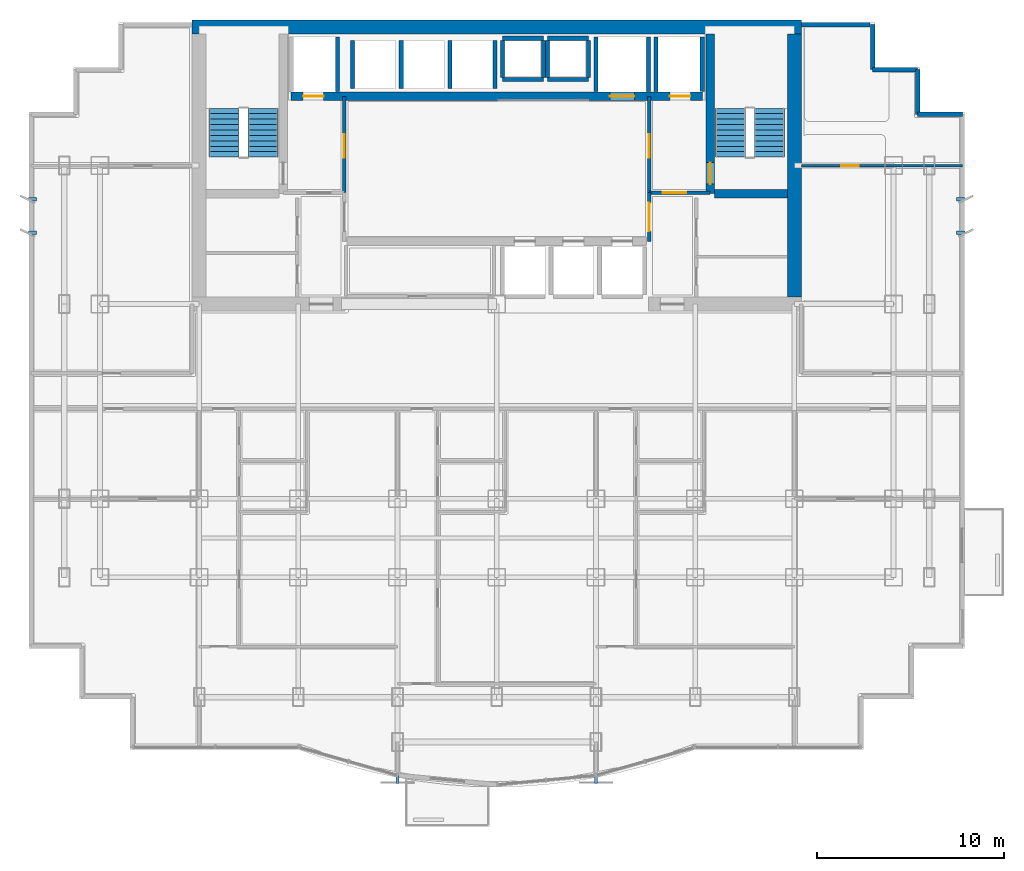
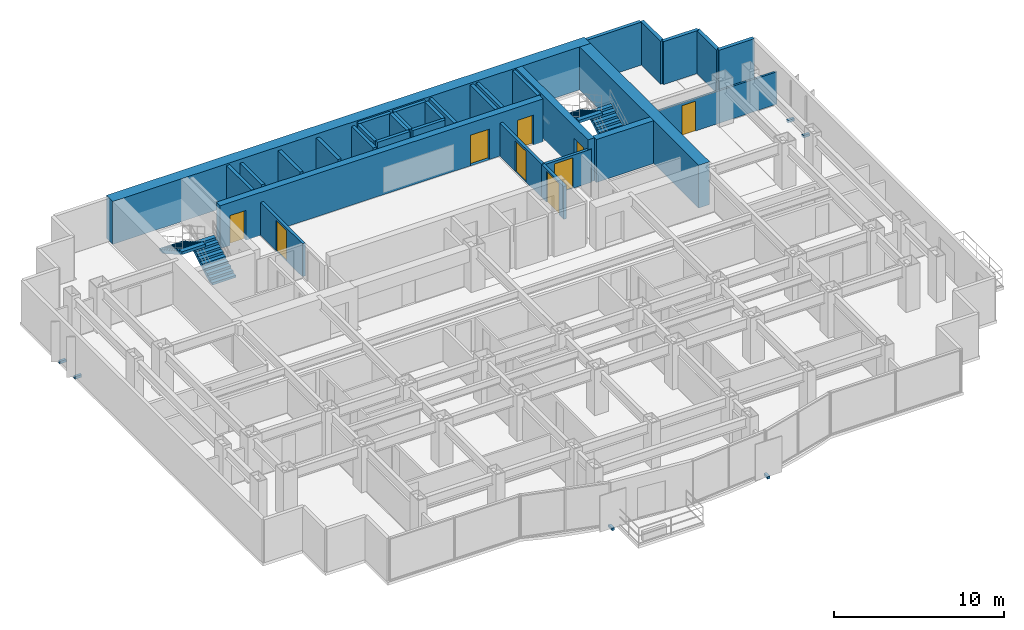
# One storey, part 7 of 9: 32 walls, 9 doors, 6 discrete accessories, 4 stair flights, 9 openings, 2 elements without a shape of their own.
"""IFC4 building model written with IfcOpenShell, lengths in metres."""

from ifc_helpers import new_model, si_unit, direction, frame, frame_2d, origin, origin_2d, place, context, subcontext, project, spatial, polyline, rectangle, outline, extrude, source, transform, mapped, material, layer, layer_set, type_object, element, fill, aggregate, save


model = new_model("IFC4")

# Units and contexts
model_context = context("Model", 3, precision=1e-05, world=origin(), true_north=direction((0.0, 1.0)))
body_context = subcontext(model_context, "Body", "Model", "MODEL_VIEW")
ifc_project = project(units=[si_unit("LENGTHUNIT", "METRE"), si_unit("AREAUNIT", "SQUARE_METRE"), si_unit("VOLUMEUNIT", "CUBIC_METRE"), si_unit("PLANEANGLEUNIT", "RADIAN"), si_unit("MASSUNIT", "GRAM", prefix="KILO")], contexts=[model_context])

# Site, building, storey
site_placement = place(None, origin())
site = spatial("IfcSite", under=ifc_project, at=site_placement, CompositionType="ELEMENT")
building_placement = place(site_placement, origin())
building = spatial("IfcBuilding", under=site, at=building_placement, Name="Qianlan Lanfeng Residences", CompositionType="ELEMENT")
storey_placement = place(building_placement, frame((0.0, 0.0, 108.10009765625)))
storey = spatial("IfcBuildingStorey", under=building, at=storey_placement, Name="L29", CompositionType="ELEMENT", Elevation=108.10009765625)

# Wall, opening, door
ifc_material_1 = material(Name="Concrete C60", Category="concrete")
ifc_layer_1 = layer(ifc_material_1, 0.449951171875)
ifc_layer_set_1 = layer_set([ifc_layer_1], Name="Concrete C60")
wall_type_1 = type_object("IfcWallType", Name="CW-RC-450", PredefinedType="SHEAR", material=ifc_layer_set_1)
wall_1_placement = place(storey_placement, frame((37.89990234375, 31.10009765625, 0.0), z_axis=(0.0, 0.0, 1.0), x_axis=(0.0, 1.0, 0.0)))
wall_1 = element("IfcWall", 1, at=wall_1_placement, inside=storey, type_object=wall_type_1, Name="L29 Core Shear Wall ST2W", PredefinedType="SHEAR", context=body_context, shape_type="SweptSolid", body=[
    extrude(rectangle(XDim=8.52490234375, YDim=0.449951171875, at=frame_2d((4.262451171875, 0.0))), origin(), (0.0, 0.0, 1.0), 3.08984375),
])
opening_1_placement = place(wall_1_placement, frame((0.510009765625, 0.0, 0.0)))
opening_1 = element("IfcOpeningElement", 2, at=opening_1_placement, cuts=wall_1, Name="Opening L29-D08", PredefinedType="OPENING", context=body_context, shape_type="SweptSolid", body=[
    extrude(rectangle(XDim=1.14990234375, YDim=2.199951171875, at=frame_2d((0.574951171875, 1.10009765625))), frame((0.0, 0.23486328125, 0.0), z_axis=(0.0, -1.0, 0.0), x_axis=(1.0, 0.0, 0.0)), (0.0, 0.0, 1.0), 0.469970703125),
])
ifc_material_2 = material(Name="Painted Galvanised Steel Fire Door", Category="steel")
door_type_1 = type_object("IfcDoorType", Name="DT-ST1", OperationType="NOTDEFINED", PredefinedType="DOOR", material=ifc_material_2)
door_1_placement = place(opening_1_placement, origin())
door_1 = element("IfcDoor", 3, at=door_1_placement, inside=storey, type_object=door_type_1, Name="L29 Exit Stair ST-2 Door L29-D08 (DT-ST1)", OperationType="SINGLE_SWING_RIGHT", OverallHeight=2.199951171875, OverallWidth=1.14990234375, PredefinedType="DOOR", context=body_context, shape_type="SweptSolid", body=[
    extrude(rectangle(XDim=1.14990234375, YDim=2.199951171875, at=frame_2d((0.574951171875, 1.10009765625))), frame((0.0, 0.02490234375, 0.0), z_axis=(0.0, -1.0, 0.0), x_axis=(1.0, 0.0, 0.0)), (0.0, 0.0, 1.0), 0.050048828125),
])
fill(opening_1, door_1)

# Wall
wall_2_placement = place(storey_placement, frame((38.125, 31.10009765625, 0.0), z_axis=(0.0, 0.0, 1.0), x_axis=(1.0, 0.0, 0.0)))
element("IfcWall", 4, at=wall_2_placement, inside=storey, type_object=wall_type_1, Name="L29 Core Shear Wall ST2S", PredefinedType="SHEAR", context=body_context, shape_type="SweptSolid", body=[
    extrude(rectangle(XDim=3.89990234375, YDim=0.449951171875, at=frame_2d((1.949951171875, 0.0))), origin(), (0.0, 0.0, 1.0), 3.08984375),
])

# Wall, openings, doors
wall_3_placement = place(storey_placement, frame((15.5, 36.300048828125, 0.0), z_axis=(0.0, 0.0, 1.0), x_axis=(1.0, 0.0, 0.0)))
wall_3 = element("IfcWall", 5, at=wall_3_placement, inside=storey, type_object=wall_type_1, Name="L29 Core Shear Wall LBN", PredefinedType="SHEAR", context=body_context, shape_type="SweptSolid", body=[
    extrude(rectangle(XDim=22.0, YDim=0.449951171875, at=frame_2d((11.0, 0.0))), origin(), (0.0, 0.0, 1.0), 3.08984375),
])
opening_2_placement = place(wall_3_placement, frame((0.64990234375, 0.0, 0.0)))
opening_2 = element("IfcOpeningElement", 6, at=opening_2_placement, cuts=wall_3, Name="Opening L29-LD-FFL-1", PredefinedType="OPENING", context=body_context, shape_type="SweptSolid", body=[
    extrude(rectangle(XDim=1.10009765625, YDim=2.14990234375, at=frame_2d((0.550048828125, 1.074951171875))), frame((0.0, 0.23486328125, 0.0), z_axis=(0.0, -1.0, 0.0), x_axis=(1.0, 0.0, 0.0)), (0.0, 0.0, 1.0), 0.469970703125),
])
opening_3_placement = place(wall_3_placement, frame((20.25, 0.0, 0.0)))
opening_3 = element("IfcOpeningElement", 7, at=opening_3_placement, cuts=wall_3, Name="Opening L29-LD-FFL-2", PredefinedType="OPENING", context=body_context, shape_type="SweptSolid", body=[
    extrude(rectangle(XDim=1.10009765625, YDim=2.14990234375, at=frame_2d((0.550048828125, 1.074951171875))), frame((0.0, 0.23486328125, 0.0), z_axis=(0.0, -1.0, 0.0), x_axis=(1.0, 0.0, 0.0)), (0.0, 0.0, 1.0), 0.469970703125),
])
opening_4_placement = place(wall_3_placement, frame((17.050048828125, 0.0, 0.0)))
opening_4 = element("IfcOpeningElement", 8, at=opening_4_placement, cuts=wall_3, Name="Opening L29-LD-SVL-1", PredefinedType="OPENING", context=body_context, shape_type="SweptSolid", body=[
    extrude(rectangle(XDim=1.300048828125, YDim=2.199951171875, at=frame_2d((0.64990234375, 1.10009765625))), frame((0.0, 0.23486328125, 0.0), z_axis=(0.0, -1.0, 0.0), x_axis=(1.0, 0.0, 0.0)), (0.0, 0.0, 1.0), 0.469970703125),
])
ifc_material_3 = material(Name="Brushed Stainless Steel Sliding Lift Door", Category="steel")
door_type_2 = type_object("IfcDoorType", Name="LD-01", OperationType="NOTDEFINED", PredefinedType="DOOR", material=ifc_material_3)
door_2_placement = place(opening_2_placement, frame((1.10009765625, 0.0, 0.0), z_axis=(0.0, 0.0, 1.0), x_axis=(-1.0, 0.0, 0.0)))
door_2 = element("IfcDoor", 9, at=door_2_placement, inside=storey, type_object=door_type_2, Name="L29 Elevator FFL-1 Sliding Landing Door", OperationType="DOUBLE_DOOR_SLIDING", OverallHeight=2.14990234375, OverallWidth=1.10009765625, PredefinedType="DOOR", context=body_context, shape_type="SweptSolid", body=[
    extrude(rectangle(XDim=1.10009765625, YDim=2.14990234375, at=frame_2d((0.550048828125, 1.074951171875))), frame((0.0, 0.02490234375, 0.0), z_axis=(0.0, -1.0, 0.0), x_axis=(1.0, 0.0, 0.0)), (0.0, 0.0, 1.0), 0.050048828125),
])
fill(opening_2, door_2)
door_3_placement = place(opening_3_placement, frame((1.10009765625, 0.0, 0.0), z_axis=(0.0, 0.0, 1.0), x_axis=(-1.0, 0.0, 0.0)))
door_3 = element("IfcDoor", 10, at=door_3_placement, inside=storey, type_object=door_type_2, Name="L29 Elevator FFL-2 Sliding Landing Door", OperationType="DOUBLE_DOOR_SLIDING", OverallHeight=2.14990234375, OverallWidth=1.10009765625, PredefinedType="DOOR", context=body_context, shape_type="SweptSolid", body=[
    extrude(rectangle(XDim=1.10009765625, YDim=2.14990234375, at=frame_2d((0.550048828125, 1.074951171875))), frame((0.0, 0.02490234375, 0.0), z_axis=(0.0, -1.0, 0.0), x_axis=(1.0, 0.0, 0.0)), (0.0, 0.0, 1.0), 0.050048828125),
])
fill(opening_3, door_3)
door_type_3 = type_object("IfcDoorType", Name="LD-02", OperationType="NOTDEFINED", PredefinedType="DOOR", material=ifc_material_3)
door_4_placement = place(opening_4_placement, frame((1.300048828125, 0.0, 0.0), z_axis=(0.0, 0.0, 1.0), x_axis=(-1.0, 0.0, 0.0)))
door_4 = element("IfcDoor", 11, at=door_4_placement, inside=storey, type_object=door_type_3, Name="L29 Elevator SVL-1 Sliding Landing Door", OperationType="DOUBLE_DOOR_SLIDING", OverallHeight=2.199951171875, OverallWidth=1.300048828125, PredefinedType="DOOR", context=body_context, shape_type="SweptSolid", body=[
    extrude(rectangle(XDim=1.300048828125, YDim=2.199951171875, at=frame_2d((0.64990234375, 1.10009765625))), frame((0.0, 0.02490234375, 0.0), z_axis=(0.0, -1.0, 0.0), x_axis=(1.0, 0.0, 0.0)), (0.0, 0.0, 1.0), 0.050048828125),
])
fill(opening_4, door_4)

# Walls
ifc_layer_2 = layer(ifc_material_1, 0.75)
ifc_layer_set_2 = layer_set([ifc_layer_2], Name="Concrete C60")
wall_type_2 = type_object("IfcWallType", Name="CW-RC-750", PredefinedType="SHEAR", material=ifc_layer_set_2)
wall_4_placement = place(storey_placement, frame((10.22509765625, 40.0, 0.0), z_axis=(0.0, 0.0, 1.0), x_axis=(1.0, 0.0, 0.0)))
element("IfcWall", 12, at=wall_4_placement, inside=storey, type_object=wall_type_2, Name="L29 Core Shear Wall N", PredefinedType="SHEAR", context=body_context, shape_type="SweptSolid", body=[
    extrude(rectangle(XDim=32.5498046875, YDim=0.75, at=frame_2d((16.27490234375, 0.0))), origin(), (0.0, 0.0, 1.0), 3.08984375),
])
wall_5_placement = place(storey_placement, frame((42.39990234375, 25.574951171875, 0.0), z_axis=(0.0, 0.0, 1.0), x_axis=(0.0, 1.0, 0.0)))
element("IfcWall", 13, at=wall_5_placement, inside=storey, type_object=wall_type_2, Name="L29 Core Shear Wall E", PredefinedType="SHEAR", context=body_context, shape_type="SweptSolid", body=[
    extrude(rectangle(XDim=14.050048828125, YDim=0.75, at=frame_2d((7.02490234375, 0.0))), origin(), (0.0, 0.0, 1.0), 3.08984375),
])
ifc_material_4 = material(Name="Concrete C42", Category="concrete")
ifc_layer_3 = layer(ifc_material_4, 0.239990234375)
ifc_layer_set_3 = layer_set([ifc_layer_3], Name="Concrete C42")
wall_type_3 = type_object("IfcWallType", Name="EW-240", PredefinedType="SOLIDWALL", material=ifc_layer_set_3)
for number, where, z_axis, x_axis, name in (
    (14, (51.3798828125, 35.330078125, 0.0), (0.0, 0.0, 1.0), (-1.0, 0.0, 0.0), "L29 Exterior Facade Spandrel Wall 11"),
    (15, (48.97998046875, 35.330078125, 0.0), (0.0, 0.0, 1.0), (0.0, 1.0, 0.0), "L29 Exterior Facade Spandrel Wall 12"),
    (16, (48.97998046875, 37.72998046875, 0.0), (0.0, 0.0, 1.0), (-1.0, 0.0, 0.0), "L29 Exterior Facade Spandrel Wall 13"),
    (17, (46.580078125, 37.72998046875, 0.0), (0.0, 0.0, 1.0), (0.0, 1.0, 0.0), "L29 Exterior Facade Spandrel Wall 14"),
):
    element("IfcWall", number, at=place(storey_placement, frame(where, z_axis=z_axis, x_axis=x_axis)), inside=storey, type_object=wall_type_3, Name=name, PredefinedType="SOLIDWALL", context=body_context, shape_type="SweptSolid", body=[
        extrude(rectangle(XDim=2.39990234375, YDim=0.239990234375, at=frame_2d((1.199951171875, 0.0))), origin(), (0.0, 0.0, 1.0), 3.08984375),
    ])
wall_6_placement = place(storey_placement, frame((46.449951171875, 40.1298828125, 0.0), z_axis=(0.0, 0.0, 1.0), x_axis=(-1.0, 0.0, 0.0)))
element("IfcWall", 18, at=wall_6_placement, inside=storey, type_object=wall_type_3, Name="L29 North Wing Exterior Wall E", PredefinedType="SOLIDWALL", context=body_context, shape_type="SweptSolid", body=[
    extrude(rectangle(XDim=3.675048828125, YDim=0.239990234375, at=frame_2d((1.83740234375, 0.0))), origin(), (0.0, 0.0, 1.0), 3.08984375),
])

# Wall, opening, door
ifc_material_5 = material(Name="Moisture-Resistant Gypsum Partition 135 mm")
ifc_layer_4 = layer(ifc_material_5, 0.135009765625)
ifc_layer_set_4 = layer_set([ifc_layer_4], Name="Moisture-Resistant Gypsum Partition 135 mm")
wall_type_4 = type_object("IfcWallType", Name="PW-135", PredefinedType="PARTITIONING", material=ifc_layer_set_4)
wall_7_placement = place(storey_placement, frame((42.77490234375, 32.60009765625, 0.0), z_axis=(0.0, 0.0, 1.0), x_axis=(1.0, 0.0, 0.0)))
wall_7 = element("IfcWall", 19, at=wall_7_placement, inside=storey, type_object=wall_type_4, Name="L29 EW North Wing Wall", PredefinedType="PARTITIONING", context=body_context, shape_type="SweptSolid", body=[
    extrude(rectangle(XDim=8.60498046875, YDim=0.135009765625, at=frame_2d((4.302490234375, 0.0))), origin(), (0.0, 0.0, 1.0), 2.3349609375),
])
opening_5_placement = place(wall_7_placement, frame((2.14306640625, 0.0, 0.0)))
opening_5 = element("IfcOpeningElement", 20, at=opening_5_placement, cuts=wall_7, Name="Opening L29-D37", PredefinedType="OPENING", context=body_context, shape_type="SweptSolid", body=[
    extrude(rectangle(XDim=0.919921875, YDim=2.14990234375, at=frame_2d((0.4599609375, 1.074951171875))), frame((0.0, 0.07763671875, 0.0), z_axis=(0.0, -1.0, 0.0), x_axis=(1.0, 0.0, 0.0)), (0.0, 0.0, 1.0), 0.155029296875),
])
ifc_material_6 = material(Name="Glazed Timber Kitchen/Study Door", Category="wood")
door_type_4 = type_object("IfcDoorType", Name="DT-INT", OperationType="NOTDEFINED", PredefinedType="DOOR", material=ifc_material_6)
door_5_placement = place(opening_5_placement, origin())
door_5 = element("IfcDoor", 21, at=door_5_placement, inside=storey, type_object=door_type_4, Name="L29 EW Inner Salon Door L29-D37 (DT-INT)", OperationType="SINGLE_SWING_RIGHT", OverallHeight=2.14990234375, OverallWidth=0.919921875, PredefinedType="DOOR", context=body_context, shape_type="SweptSolid", body=[
    extrude(rectangle(XDim=0.919921875, YDim=2.14990234375, at=frame_2d((0.4599609375, 1.074951171875))), frame((0.0, 0.02490234375, 0.0), z_axis=(0.0, -1.0, 0.0), x_axis=(1.0, 0.0, 0.0)), (0.0, 0.0, 1.0), 0.050048828125),
])
fill(opening_5, door_5)

ifc_material_7 = material(Name="Autoclaved Aerated Concrete Blockwork 200 mm", Category="masonry")
ifc_layer_5 = layer(ifc_material_7, 0.199951171875)
ifc_layer_set_5 = layer_set([ifc_layer_5], Name="Autoclaved Aerated Concrete Blockwork 200 mm")
wall_type_5 = type_object("IfcWallType", Name="PW-200", PredefinedType="PARTITIONING", material=ifc_layer_set_5)
wall_8_placement = place(storey_placement, frame((18.35009765625, 31.14990234375, 0.0), z_axis=(0.0, 0.0, 1.0), x_axis=(0.0, 1.0, 0.0)))
wall_8 = element("IfcWall", 22, at=wall_8_placement, inside=storey, type_object=wall_type_5, Name="L29 Firefighting Lobby 1 East Wall", PredefinedType="PARTITIONING", context=body_context, shape_type="SweptSolid", body=[
    extrude(rectangle(XDim=5.150146484375, YDim=0.199951171875, at=frame_2d((2.5751953125, 0.0))), origin(), (0.0, 0.0, 1.0), 2.3798828125),
])
opening_6_placement = place(wall_8_placement, frame((1.875, 0.0, 0.0)))
opening_6 = element("IfcOpeningElement", 23, at=opening_6_placement, cuts=wall_8, Name="Opening L29-D04", PredefinedType="OPENING", context=body_context, shape_type="SweptSolid", body=[
    extrude(rectangle(XDim=1.25, YDim=2.199951171875, at=frame_2d((0.625, 1.10009765625))), frame((0.0, 0.10986328125, 0.0), z_axis=(0.0, -1.0, 0.0), x_axis=(1.0, 0.0, 0.0)), (0.0, 0.0, 1.0), 0.219970703125),
])
door_type_5 = type_object("IfcDoorType", Name="DT-FFL", OperationType="NOTDEFINED", PredefinedType="DOOR", material=ifc_material_2)
door_6_placement = place(opening_6_placement, origin())
door_6 = element("IfcDoor", 24, at=door_6_placement, inside=storey, type_object=door_type_5, Name="L29 Firefighting Lobby 1 Lift Lobby Door L29-D04 (DT-FFL)", OperationType="SINGLE_SWING_LEFT", OverallHeight=2.199951171875, OverallWidth=1.25, PredefinedType="DOOR", context=body_context, shape_type="SweptSolid", body=[
    extrude(rectangle(XDim=1.25, YDim=2.199951171875, at=frame_2d((0.625, 1.10009765625))), frame((0.0, 0.02490234375, 0.0), z_axis=(0.0, -1.0, 0.0), x_axis=(1.0, 0.0, 0.0)), (0.0, 0.0, 1.0), 0.050048828125),
])
fill(opening_6, door_6)

wall_9_placement = place(storey_placement, frame((34.64990234375, 31.14990234375, 0.0), z_axis=(0.0, 0.0, 1.0), x_axis=(1.0, 0.0, 0.0)))
wall_9 = element("IfcWall", 25, at=wall_9_placement, inside=storey, type_object=wall_type_5, Name="L29 Firefighting Lobby 2 South Wall", PredefinedType="PARTITIONING", context=body_context, shape_type="SweptSolid", body=[
    extrude(rectangle(XDim=3.25, YDim=0.199951171875, at=frame_2d((1.625, 0.0))), origin(), (0.0, 0.0, 1.0), 2.3798828125),
])
opening_7_placement = place(wall_9_placement, frame((0.72509765625, 0.0, 0.0)))
opening_7 = element("IfcOpeningElement", 26, at=opening_7_placement, cuts=wall_9, Name="Opening L29-D05", PredefinedType="OPENING", context=body_context, shape_type="SweptSolid", body=[
    extrude(rectangle(XDim=1.25, YDim=2.199951171875, at=frame_2d((0.625, 1.10009765625))), frame((0.0, 0.10986328125, 0.0), z_axis=(0.0, -1.0, 0.0), x_axis=(1.0, 0.0, 0.0)), (0.0, 0.0, 1.0), 0.219970703125),
])
door_7_placement = place(opening_7_placement, origin())
door_7 = element("IfcDoor", 27, at=door_7_placement, inside=storey, type_object=door_type_5, Name="L29 Firefighting Lobby 2 Entry Door L29-D05 (DT-FFL)", OperationType="SINGLE_SWING_RIGHT", OverallHeight=2.199951171875, OverallWidth=1.25, PredefinedType="DOOR", context=body_context, shape_type="SweptSolid", body=[
    extrude(rectangle(XDim=1.25, YDim=2.199951171875, at=frame_2d((0.625, 1.10009765625))), frame((0.0, 0.02490234375, 0.0), z_axis=(0.0, -1.0, 0.0), x_axis=(1.0, 0.0, 0.0)), (0.0, 0.0, 1.0), 0.050048828125),
])
fill(opening_7, door_7)

wall_10_placement = place(storey_placement, frame((34.64990234375, 31.14990234375, 0.0), z_axis=(0.0, 0.0, 1.0), x_axis=(0.0, 1.0, 0.0)))
wall_10 = element("IfcWall", 28, at=wall_10_placement, inside=storey, type_object=wall_type_5, Name="L29 Firefighting Lobby 2 West Wall", PredefinedType="PARTITIONING", context=body_context, shape_type="SweptSolid", body=[
    extrude(rectangle(XDim=5.150146484375, YDim=0.199951171875, at=frame_2d((2.5751953125, 0.0))), origin(), (0.0, 0.0, 1.0), 2.3798828125),
])
opening_8_placement = place(wall_10_placement, frame((1.875, 0.0, 0.0)))
opening_8 = element("IfcOpeningElement", 29, at=opening_8_placement, cuts=wall_10, Name="Opening L29-D06", PredefinedType="OPENING", context=body_context, shape_type="SweptSolid", body=[
    extrude(rectangle(XDim=1.25, YDim=2.199951171875, at=frame_2d((0.625, 1.10009765625))), frame((0.0, 0.10986328125, 0.0), z_axis=(0.0, -1.0, 0.0), x_axis=(1.0, 0.0, 0.0)), (0.0, 0.0, 1.0), 0.219970703125),
])
door_8_placement = place(opening_8_placement, origin())
door_8 = element("IfcDoor", 30, at=door_8_placement, inside=storey, type_object=door_type_5, Name="L29 Firefighting Lobby 2 Lift Lobby Door L29-D06 (DT-FFL)", OperationType="SINGLE_SWING_LEFT", OverallHeight=2.199951171875, OverallWidth=1.25, PredefinedType="DOOR", context=body_context, shape_type="SweptSolid", body=[
    extrude(rectangle(XDim=1.25, YDim=2.199951171875, at=frame_2d((0.625, 1.10009765625))), frame((0.0, 0.02490234375, 0.0), z_axis=(0.0, -1.0, 0.0), x_axis=(1.0, 0.0, 0.0)), (0.0, 0.0, 1.0), 0.050048828125),
])
fill(opening_8, door_8)

wall_11_placement = place(storey_placement, frame((34.64990234375, 28.550048828125, 0.0), z_axis=(0.0, 0.0, 1.0), x_axis=(0.0, 1.0, 0.0)))
wall_11 = element("IfcWall", 31, at=wall_11_placement, inside=storey, type_object=wall_type_5, Name="L29 Lift Lobby East Connector Wall", PredefinedType="PARTITIONING", context=body_context, shape_type="SweptSolid", body=[
    extrude(rectangle(XDim=2.599853515625, YDim=0.199951171875, at=frame_2d((1.2998046875, 0.0))), origin(), (0.0, 0.0, 1.0), 2.3798828125),
])
opening_9_placement = place(wall_11_placement, frame((0.550048828125, 0.0, 0.0)))
opening_9 = element("IfcOpeningElement", 32, at=opening_9_placement, cuts=wall_11, Name="Opening L29-D14", PredefinedType="OPENING", context=body_context, shape_type="SweptSolid", body=[
    extrude(rectangle(XDim=1.5, YDim=2.25, at=frame_2d((0.75, 1.125))), frame((0.0, 0.10986328125, 0.0), z_axis=(0.0, -1.0, 0.0), x_axis=(1.0, 0.0, 0.0)), (0.0, 0.0, 1.0), 0.219970703125),
])
ifc_material_8 = material(Name="Timber Veneer Acoustic Fire Door", Category="wood")
door_type_6 = type_object("IfcDoorType", Name="DT-COR1", OperationType="NOTDEFINED", PredefinedType="DOOR", material=ifc_material_8)
door_9_placement = place(opening_9_placement, frame((1.5, 0.0, 0.0), z_axis=(0.0, 0.0, 1.0), x_axis=(-1.0, 0.0, 0.0)))
door_9 = element("IfcDoor", 33, at=door_9_placement, inside=storey, type_object=door_type_6, Name="L29 Lift Lobby East Portal Door L29-D14 (DT-COR1)", OperationType="DOUBLE_DOOR_SINGLE_SWING", OverallHeight=2.25, OverallWidth=1.5, PredefinedType="DOOR", context=body_context, shape_type="SweptSolid", body=[
    extrude(rectangle(XDim=1.5, YDim=2.25, at=frame_2d((0.75, 1.125))), frame((0.0, 0.02490234375, 0.0), z_axis=(0.0, -1.0, 0.0), x_axis=(1.0, 0.0, 0.0)), (0.0, 0.0, 1.0), 0.050048828125),
])
fill(opening_9, door_9)

# Walls
ifc_material_9 = material(Name="Concrete C49", Category="concrete")
ifc_layer_6 = layer(ifc_material_9, 0.219970703125)
ifc_layer_set_6 = layer_set([ifc_layer_6], Name="Concrete C49")
wall_type_6 = type_object("IfcWallType", Name="SHW-220", PredefinedType="SOLIDWALL", material=ifc_layer_set_6)
for number, where, z_axis, x_axis, name in (
    (34, (18.0, 36.550048828125, 0.0), (0.0, 0.0, 1.0), (0.0, 1.0, 0.0), "L29 Lift FFL-1 Shaft Wall E"),
    (35, (35.0, 36.550048828125, 0.0), (0.0, 0.0, 1.0), (0.0, 1.0, 0.0), "L29 Lift FFL-2 Shaft Wall W"),
    (36, (37.47998046875, 36.550048828125, 0.0), (0.0, 0.0, 1.0), (0.0, 1.0, 0.0), "L29 Lift FFL-2 Shaft Wall E"),
    (37, (31.800048828125, 36.550048828125, 0.0), (0.0, 0.0, 1.0), (0.0, 1.0, 0.0), "L29 Lift SVL-1 Shaft Wall W"),
    (38, (34.60009765625, 36.550048828125, 0.0), (0.0, 0.0, 1.0), (0.0, 1.0, 0.0), "L29 Lift SVL-1 Shaft Wall E"),
):
    element("IfcWall", number, at=place(storey_placement, frame(where, z_axis=z_axis, x_axis=x_axis)), inside=storey, type_object=wall_type_6, Name=name, PredefinedType="SOLIDWALL", context=body_context, shape_type="SweptSolid", body=[
        extrude(rectangle(XDim=2.929931640625, YDim=0.219970703125, at=frame_2d((1.46484375, 0.0))), origin(), (0.0, 0.0, 1.0), 3.08984375),
    ])
for number, where, z_axis, x_axis, name in (
    (39, (18.800048828125, 36.719970703125, 0.0), (0.0, 0.0, 1.0), (0.0, 1.0, 0.0), "L29 Lift PL-H1 Shaft Wall W"),
    (40, (21.39990234375, 36.719970703125, 0.0), (0.0, 0.0, 1.0), (0.0, 1.0, 0.0), "L29 Lift PL-H2 Shaft Wall W"),
    (41, (24.0, 36.719970703125, 0.0), (0.0, 0.0, 1.0), (0.0, 1.0, 0.0), "L29 Lift PL-H3 Shaft Wall W"),
    (42, (26.39990234375, 36.719970703125, 0.0), (0.0, 0.0, 1.0), (0.0, 1.0, 0.0), "L29 Lift PL-H3 Shaft Wall E"),
):
    element("IfcWall", number, at=place(storey_placement, frame(where, z_axis=z_axis, x_axis=x_axis)), inside=storey, type_object=wall_type_6, Name=name, PredefinedType="SOLIDWALL", context=body_context, shape_type="SweptSolid", body=[
        extrude(rectangle(XDim=2.56005859375, YDim=0.219970703125, at=frame_2d((1.280029296875, 0.0))), origin(), (0.0, 0.0, 1.0), 3.08984375),
    ])
for number, where, z_axis, x_axis, name in (
    (43, (26.800048828125, 37.31005859375, 0.0), (0.0, 0.0, 1.0), (0.0, 1.0, 0.0), "L29 MEP Riser MEP-R1 Shaft Wall W"),
    (44, (29.0, 37.31005859375, 0.0), (0.0, 0.0, 1.0), (0.0, 1.0, 0.0), "L29 MEP Riser MEP-R1 Shaft Wall E"),
):
    element("IfcWall", number, at=place(storey_placement, frame(where, z_axis=z_axis, x_axis=x_axis)), inside=storey, type_object=wall_type_6, Name=name, PredefinedType="SOLIDWALL", context=body_context, shape_type="SweptSolid", body=[
        extrude(rectangle(XDim=1.97998046875, YDim=0.219970703125, at=frame_2d((0.989990234375, 0.0))), origin(), (0.0, 0.0, 1.0), 3.08984375),
    ])
for number, where, z_axis, x_axis, name in (
    (45, (26.800048828125, 39.39990234375, 0.0), (0.0, 0.0, 1.0), (1.0, 0.0, 0.0), "L29 MEP Riser MEP-R1 Shaft Wall N"),
    (46, (26.800048828125, 37.199951171875, 0.0), (0.0, 0.0, 1.0), (1.0, 0.0, 0.0), "L29 MEP Riser MEP-R1 Shaft Wall S"),
):
    element("IfcWall", number, at=place(storey_placement, frame(where, z_axis=z_axis, x_axis=x_axis)), inside=storey, type_object=wall_type_6, Name=name, PredefinedType="SOLIDWALL", context=body_context, shape_type="SweptSolid", body=[
        extrude(rectangle(XDim=2.199951171875, YDim=0.219970703125, at=frame_2d((1.10009765625, 0.0))), origin(), (0.0, 0.0, 1.0), 3.08984375),
    ])
for number, where, z_axis, x_axis, name in (
    (47, (29.199951171875, 37.31005859375, 0.0), (0.0, 0.0, 1.0), (0.0, 1.0, 0.0), "L29 MEP Riser MEP-R2 Shaft Wall W"),
    (48, (31.39990234375, 37.31005859375, 0.0), (0.0, 0.0, 1.0), (0.0, 1.0, 0.0), "L29 MEP Riser MEP-R2 Shaft Wall E"),
):
    element("IfcWall", number, at=place(storey_placement, frame(where, z_axis=z_axis, x_axis=x_axis)), inside=storey, type_object=wall_type_6, Name=name, PredefinedType="SOLIDWALL", context=body_context, shape_type="SweptSolid", body=[
        extrude(rectangle(XDim=1.97998046875, YDim=0.219970703125, at=frame_2d((0.989990234375, 0.0))), origin(), (0.0, 0.0, 1.0), 3.08984375),
    ])
for number, where, z_axis, x_axis, name in (
    (49, (29.199951171875, 39.39990234375, 0.0), (0.0, 0.0, 1.0), (1.0, 0.0, 0.0), "L29 MEP Riser MEP-R2 Shaft Wall N"),
    (50, (29.199951171875, 37.199951171875, 0.0), (0.0, 0.0, 1.0), (1.0, 0.0, 0.0), "L29 MEP Riser MEP-R2 Shaft Wall S"),
):
    element("IfcWall", number, at=place(storey_placement, frame(where, z_axis=z_axis, x_axis=x_axis)), inside=storey, type_object=wall_type_6, Name=name, PredefinedType="SOLIDWALL", context=body_context, shape_type="SweptSolid", body=[
        extrude(rectangle(XDim=2.199951171875, YDim=0.219970703125, at=frame_2d((1.10009765625, 0.0))), origin(), (0.0, 0.0, 1.0), 3.08984375),
    ])

# Stair, stair flights
stair_type = type_object("IfcStairType", Name="STR-MAIN", PredefinedType="HALF_TURN_STAIR", material=ifc_material_4)
stair_1_placement = place(storey_placement, origin())
stair_1 = element("IfcStair", 51, at=stair_1_placement, inside=storey, type_object=stair_type, Name="L29 Exit Stair ST-1", PredefinedType="HALF_TURN_STAIR")
stair_flight_type = type_object("IfcStairFlightType", Name="FLT-1720", PredefinedType="STRAIGHT", material=ifc_material_4)
stair_flight_1_placement = place(storey_placement, frame((14.02001953125, 33.050048828125, 0.0), z_axis=(0.0, 0.0, 1.0), x_axis=(0.0, 1.0, 0.0)))
stair_flight_1 = element("IfcStairFlight", 52, at=stair_flight_1_placement, type_object=stair_flight_type, Name="ST-1 flight 1", NumberOfRisers=10, NumberOfTreads=9, PredefinedType="STRAIGHT", RiserHeight=0.165, TreadLength=0.29, context=body_context, shape_type="SweptSolid", body=[
    extrude(outline(polyline([(0.0, 0.0), (0.0, 0.1650390625), (0.2900390625, 0.1650390625), (0.2900390625, 0.330078125), (0.580078125, 0.330078125), (0.580078125, 0.4951171875), (0.8701171875, 0.4951171875), (0.8701171875, 0.659912109375), (1.159912109375, 0.659912109375), (1.159912109375, 0.824951171875), (1.449951171875, 0.824951171875), (1.449951171875, 0.989990234375), (1.739990234375, 0.989990234375), (1.739990234375, 1.155029296875), (2.030029296875, 1.155029296875), (2.030029296875, 1.320068359375), (2.320068359375, 1.320068359375), (2.320068359375, 1.485107421875), (2.610107421875, 1.485107421875), (2.610107421875, 1.64990234375), (2.610107421875, 1.278076171875), (0.36376953125, 0.0), (0.0, 0.0)])), frame((0.0, 0.800048828125, 0.0), z_axis=(0.0, -1.0, 0.0), x_axis=(1.0, 0.0, 0.0)), (0.0, 0.0, 1.0), 1.60009765625),
])
stair_flight_2_placement = place(storey_placement, frame((11.93994140625, 35.659912109375, 1.64990234375), z_axis=(0.0, 0.0, 1.0), x_axis=(0.0, -1.0, 0.0)))
stair_flight_2 = element("IfcStairFlight", 53, at=stair_flight_2_placement, type_object=stair_flight_type, Name="ST-1 flight 2", NumberOfRisers=10, NumberOfTreads=9, PredefinedType="STRAIGHT", RiserHeight=0.165, TreadLength=0.29, context=body_context, shape_type="SweptSolid", body=[
    extrude(outline(polyline([(0.0, 0.0), (0.0, 0.1650390625), (0.2900390625, 0.1650390625), (0.2900390625, 0.330078125), (0.580078125, 0.330078125), (0.580078125, 0.4951171875), (0.8701171875, 0.4951171875), (0.8701171875, 0.659912109375), (1.159912109375, 0.659912109375), (1.159912109375, 0.824951171875), (1.449951171875, 0.824951171875), (1.449951171875, 0.989990234375), (1.739990234375, 0.989990234375), (1.739990234375, 1.155029296875), (2.030029296875, 1.155029296875), (2.030029296875, 1.320068359375), (2.320068359375, 1.320068359375), (2.320068359375, 1.485107421875), (2.610107421875, 1.485107421875), (2.610107421875, 1.64990234375), (2.610107421875, 1.278076171875), (0.36376953125, 0.0), (0.0, 0.0)])), frame((0.0, 0.800048828125, 0.0), z_axis=(0.0, -1.0, 0.0), x_axis=(1.0, 0.0, 0.0)), (0.0, 0.0, 1.0), 1.60009765625),
])
aggregate(stair_1, [stair_flight_1, stair_flight_2])

stair_2_placement = place(storey_placement, origin())
stair_2 = element("IfcStair", 54, at=stair_2_placement, inside=storey, type_object=stair_type, Name="L29 Exit Stair ST-2", PredefinedType="HALF_TURN_STAIR")
stair_flight_3_placement = place(storey_placement, frame((41.06005859375, 33.050048828125, 0.0), z_axis=(0.0, 0.0, 1.0), x_axis=(0.0, 1.0, 0.0)))
stair_flight_3 = element("IfcStairFlight", 55, at=stair_flight_3_placement, type_object=stair_flight_type, Name="ST-2 flight 1", NumberOfRisers=10, NumberOfTreads=9, PredefinedType="STRAIGHT", RiserHeight=0.165, TreadLength=0.29, context=body_context, shape_type="SweptSolid", body=[
    extrude(outline(polyline([(0.0, 0.0), (0.0, 0.1650390625), (0.2900390625, 0.1650390625), (0.2900390625, 0.330078125), (0.580078125, 0.330078125), (0.580078125, 0.4951171875), (0.8701171875, 0.4951171875), (0.8701171875, 0.659912109375), (1.159912109375, 0.659912109375), (1.159912109375, 0.824951171875), (1.449951171875, 0.824951171875), (1.449951171875, 0.989990234375), (1.739990234375, 0.989990234375), (1.739990234375, 1.155029296875), (2.030029296875, 1.155029296875), (2.030029296875, 1.320068359375), (2.320068359375, 1.320068359375), (2.320068359375, 1.485107421875), (2.610107421875, 1.485107421875), (2.610107421875, 1.64990234375), (2.610107421875, 1.278076171875), (0.36376953125, 0.0), (0.0, 0.0)])), frame((0.0, 0.800048828125, 0.0), z_axis=(0.0, -1.0, 0.0), x_axis=(1.0, 0.0, 0.0)), (0.0, 0.0, 1.0), 1.60009765625),
])
stair_flight_4_placement = place(storey_placement, frame((38.97998046875, 35.659912109375, 1.64990234375), z_axis=(0.0, 0.0, 1.0), x_axis=(0.0, -1.0, 0.0)))
stair_flight_4 = element("IfcStairFlight", 56, at=stair_flight_4_placement, type_object=stair_flight_type, Name="ST-2 flight 2", NumberOfRisers=10, NumberOfTreads=9, PredefinedType="STRAIGHT", RiserHeight=0.165, TreadLength=0.29, context=body_context, shape_type="SweptSolid", body=[
    extrude(outline(polyline([(0.0, 0.0), (0.0, 0.1650390625), (0.2900390625, 0.1650390625), (0.2900390625, 0.330078125), (0.580078125, 0.330078125), (0.580078125, 0.4951171875), (0.8701171875, 0.4951171875), (0.8701171875, 0.659912109375), (1.159912109375, 0.659912109375), (1.159912109375, 0.824951171875), (1.449951171875, 0.824951171875), (1.449951171875, 0.989990234375), (1.739990234375, 0.989990234375), (1.739990234375, 1.155029296875), (2.030029296875, 1.155029296875), (2.030029296875, 1.320068359375), (2.320068359375, 1.320068359375), (2.320068359375, 1.485107421875), (2.610107421875, 1.485107421875), (2.610107421875, 1.64990234375), (2.610107421875, 1.278076171875), (0.36376953125, 0.0), (0.0, 0.0)])), frame((0.0, 0.800048828125, 0.0), z_axis=(0.0, -1.0, 0.0), x_axis=(1.0, 0.0, 0.0)), (0.0, 0.0, 1.0), 1.60009765625),
])
aggregate(stair_2, [stair_flight_3, stair_flight_4])

# Discrete accessories
ifc_material_10 = material(Name="Stainless Steel Facade Bracket", Category="steel")
discrete_accessory_type = type_object("IfcDiscreteAccessoryType", Name="BRK-SS-350", PredefinedType="BRACKET", material=ifc_material_10)
shared_shape_1 = source(origin(), body_context, "Body", "SweptSolid", [
    extrude(rectangle(XDim=0.179931640625, YDim=0.449951171875, at=origin_2d()), origin(), (0.0, 0.0, 1.0), 0.179931640625),
])
for number, where, z_axis, x_axis, name in (
    (57, (21.199951171875, -0.199951171875, -0.14990234375), (0.0, 0.0, 1.0), (1.0, 0.0, 0.0), "L29 Solar Screen Support Bracket 1"),
    (58, (31.800048828125, -0.199951171875, -0.14990234375), (0.0, 0.0, 1.0), (1.0, 0.0, 0.0), "L29 Solar Screen Support Bracket 2"),
):
    element("IfcDiscreteAccessory", number, at=place(storey_placement, frame(where, z_axis=z_axis, x_axis=x_axis)), inside=storey, type_object=discrete_accessory_type, Name=name, PredefinedType="BRACKET", context=body_context, shape_type="MappedRepresentation", body=[
        mapped(shared_shape_1, transform((0.0, 0.0, 0.0), scale=1.0)),
    ])
shared_shape_2 = source(origin(), body_context, "Body", "SweptSolid", [
    extrude(rectangle(XDim=0.449951171875, YDim=0.179931640625, at=origin_2d()), origin(), (0.0, 0.0, 1.0), 0.179931640625),
])
for number, where, z_axis, x_axis, name in (
    (59, (1.699951171875, 29.0, -0.14990234375), (0.0, 0.0, 1.0), (1.0, 0.0, 0.0), "L29 Raked Solar Fin Support Bracket W1"),
    (60, (1.699951171875, 30.800048828125, -0.14990234375), (0.0, 0.0, 1.0), (1.0, 0.0, 0.0), "L29 Raked Solar Fin Support Bracket W2"),
    (61, (51.300048828125, 29.0, -0.14990234375), (0.0, 0.0, 1.0), (1.0, 0.0, 0.0), "L29 Raked Solar Fin Support Bracket E1"),
    (62, (51.300048828125, 30.800048828125, -0.14990234375), (0.0, 0.0, 1.0), (1.0, 0.0, 0.0), "L29 Raked Solar Fin Support Bracket E2"),
):
    element("IfcDiscreteAccessory", number, at=place(storey_placement, frame(where, z_axis=z_axis, x_axis=x_axis)), inside=storey, type_object=discrete_accessory_type, Name=name, PredefinedType="BRACKET", context=body_context, shape_type="MappedRepresentation", body=[
        mapped(shared_shape_2, transform((0.0, 0.0, 0.0), scale=1.0)),
    ])

save(model, "model.ifc")
